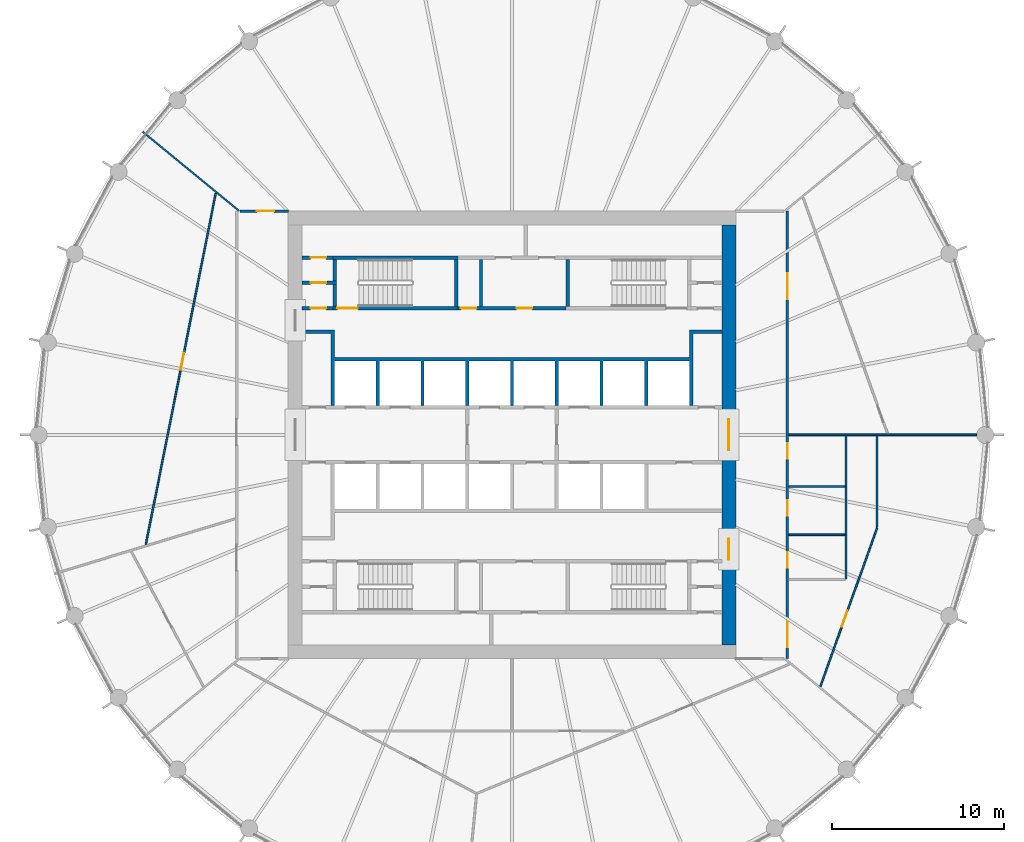
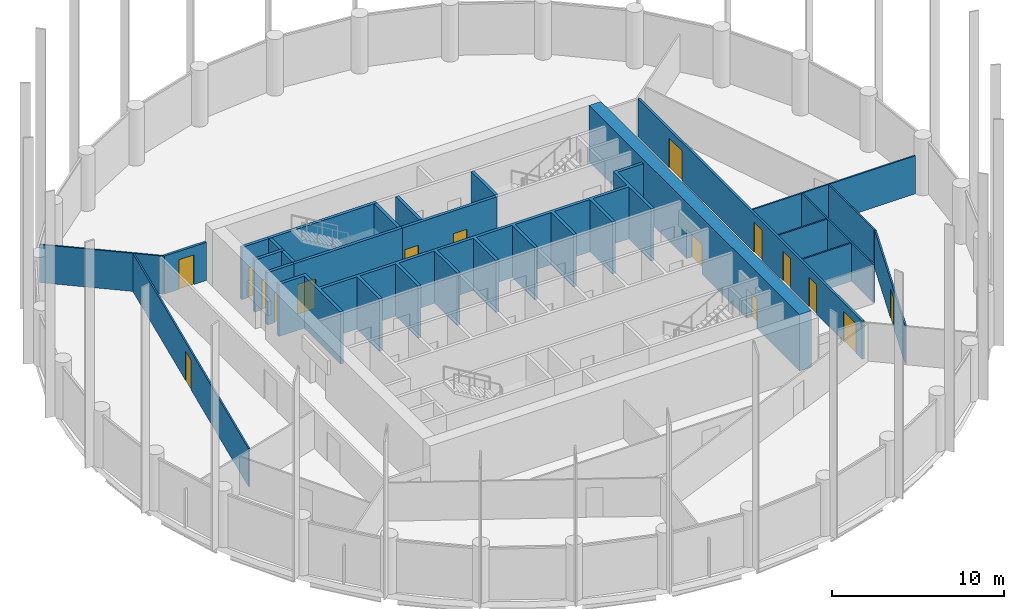
# One storey, part 6 of 8: 23 walls, 16 doors, 16 openings.
"""IFC4 building model written with IfcOpenShell, lengths in metres."""

import ifcopenshell
import ifcopenshell.guid

model = None  # the IFC model being written
_history = None  # IfcOwnerHistory: only IFC2X3 demands one
_inside = {}  # id of a spatial element -> (the spatial element, [elements in it])
_under = {}  # id of a project, library or spatial element -> (it, [spatial elements below it])
_declared = {}  # id of a project -> (the project, [libraries it declares])
_typed = {}  # id of a type object -> (the type object, [elements of that type])
_made_of = {}  # id of a material, layer set ... -> (it, [elements and type objects made of it])


def new_model(schema):
    """Start an empty IFC model of exactly this schema.

    Asked for "IFC4X3", IfcOpenShell would pick the latest addendum, in which some entities
    have other attributes; the version numbers below select the first issue.
    IFC2X3 requires an IfcOwnerHistory on every rooted entity: one is made here for all.
    """
    global model, _history
    if schema == "IFC4X3":
        model = ifcopenshell.file(schema_version=(4, 3, 0, 0))
    else:
        model = ifcopenshell.file(schema=schema)
    _inside.clear()
    _under.clear()
    _declared.clear()
    _typed.clear()
    _made_of.clear()
    _history = None
    if model.schema == "IFC2X3":
        org = make("IfcOrganization", Name="unknown")
        user = make(
            "IfcPersonAndOrganization",
            ThePerson=make("IfcPerson", FamilyName="unknown"),
            TheOrganization=org,
        )
        app = make(
            "IfcApplication",
            ApplicationDeveloper=org,
            Version="unknown",
            ApplicationFullName="unknown",
            ApplicationIdentifier="unknown",
        )
        _history = make(
            "IfcOwnerHistory",
            OwningUser=user,
            OwningApplication=app,
            ChangeAction="ADDED",
            CreationDate=0,
        )
    return model


def make(cls, **values):
    """One entity of the class cls with the attributes given. An attribute that is None is left unset."""
    return model.create_entity(
        cls, **{name: value for name, value in values.items() if value is not None}
    )


def rooted(cls, **values):
    """An entity with a GlobalId (a new one), such as an element, a storey or a relation."""
    return make(cls, GlobalId=ifcopenshell.guid.new(), OwnerHistory=_history, **values)


def si_unit(unit_type, name, prefix=None):
    """IfcSIUnit, for example si_unit("LENGTHUNIT", "METRE", prefix="MILLI")."""
    return make("IfcSIUnit", UnitType=unit_type, Prefix=prefix, Name=name)


def assignment(units):
    """IfcUnitAssignment: the units of a project."""
    return None if units is None else make("IfcUnitAssignment", Units=units)


def point(xyz):
    """IfcCartesianPoint."""
    return None if xyz is None else make("IfcCartesianPoint", Coordinates=xyz)


def direction(xyz):
    """IfcDirection."""
    return None if xyz is None else make("IfcDirection", DirectionRatios=xyz)


def frame(location, z_axis=None, x_axis=None):
    """IfcAxis2Placement3D, a coordinate frame: its origin and axes. An axis left out is left unset."""
    return make(
        "IfcAxis2Placement3D",
        Location=point(location),
        Axis=direction(z_axis),
        RefDirection=direction(x_axis),
    )


def frame_2d(location, x_axis=None):
    """IfcAxis2Placement2D, a coordinate frame in the plane: its origin and x axis."""
    return make(
        "IfcAxis2Placement2D", Location=point(location), RefDirection=direction(x_axis)
    )


def origin():
    """The frame at (0, 0, 0) with its axes left unset."""
    return frame((0.0, 0.0, 0.0))


def place(relative_to, where):
    """IfcLocalPlacement: puts the frame where relative to a parent placement (None: the world)."""
    return make(
        "IfcLocalPlacement", PlacementRelTo=relative_to, RelativePlacement=where
    )


def context(
    kind, dimensions, precision=None, world=None, true_north=None, identifier=None
):
    """IfcGeometricRepresentationContext, for example the 3D "Model" context."""
    return make(
        "IfcGeometricRepresentationContext",
        ContextIdentifier=identifier,
        ContextType=kind,
        CoordinateSpaceDimension=dimensions,
        Precision=precision,
        WorldCoordinateSystem=world,
        TrueNorth=true_north,
    )


def subcontext(parent, identifier, kind, view, scale=None):
    """IfcGeometricRepresentationSubContext, for example "Body" below "Model"."""
    return make(
        "IfcGeometricRepresentationSubContext",
        ContextIdentifier=identifier,
        ContextType=kind,
        ParentContext=parent,
        TargetScale=scale,
        TargetView=view,
    )


def project(units=None, contexts=None):
    """IfcProject with its units and contexts."""
    return rooted(
        "IfcProject",
        Name="project",
        RepresentationContexts=contexts,
        UnitsInContext=assignment(units),
    )


def spatial(cls, under=None, at=None, **own):
    """A site, building, storey or space (cls), placed at a placement, below another one or the project."""
    s = rooted(cls, ObjectPlacement=at, **own)
    if under is not None:
        _under.setdefault(under.id(), (under, []))[1].append(s)
    return s


def polyline(points):
    """IfcPolyline through the points."""
    return make("IfcPolyline", Points=[point(p) for p in points])


def profile(cls, at=None, kind="AREA", **sizes):
    """A parametric profile (cls). Its sizes go by their IFC names, for example OverallWidth=200.0."""
    return make(cls, ProfileType=kind, Position=at, **sizes)


def rectangle(**sizes):
    """IfcRectangleProfileDef."""
    return profile("IfcRectangleProfileDef", **sizes)


def outline(outer, holes=None, kind="AREA"):
    """IfcArbitraryClosedProfileDef: a profile drawn as a closed curve; with holes, ...WithVoids."""
    if holes is None:
        return make("IfcArbitraryClosedProfileDef", ProfileType=kind, OuterCurve=outer)
    return make(
        "IfcArbitraryProfileDefWithVoids",
        ProfileType=kind,
        OuterCurve=outer,
        InnerCurves=holes,
    )


def extrude(swept, where, along, depth):
    """IfcExtrudedAreaSolid: the profile swept, set in the frame where, extruded along a direction by depth."""
    return make(
        "IfcExtrudedAreaSolid",
        SweptArea=swept,
        Position=where,
        ExtrudedDirection=direction(along),
        Depth=depth,
    )


def shape(context_of_items, identifier, shape_type, items):
    """IfcShapeRepresentation: the items that make up one representation, for example the "Body"."""
    return make(
        "IfcShapeRepresentation",
        ContextOfItems=context_of_items,
        RepresentationIdentifier=identifier,
        RepresentationType=shape_type,
        Items=items,
    )


def material(Name=None, Category=None):
    """IfcMaterial."""
    return make("IfcMaterial", Name=Name, Category=Category)


def layer(
    of_material, thickness, ventilated=None, Name=None, Category=None, Priority=None
):
    """IfcMaterialLayer: one layer of a wall or slab, of a material (None: an air gap)."""
    return make(
        "IfcMaterialLayer",
        Material=of_material,
        LayerThickness=thickness,
        IsVentilated=ventilated,
        Name=Name,
        Category=Category,
        Priority=Priority,
    )


def layer_set(layers, Name=None):
    """IfcMaterialLayerSet."""
    return make("IfcMaterialLayerSet", MaterialLayers=layers, LayerSetName=Name)


def made_of(thing, what):
    """Note that an element or type object is made of a material, layer set ...; save() writes the relation."""
    if what is not None:
        _made_of.setdefault(what.id(), (what, []))[1].append(thing)
    return thing


def type_object(cls, material=None, **own):
    """A type object (cls), such as IfcWallType, which elements share."""
    return made_of(rooted(cls, **own), material)


def element(
    cls,
    number,
    at=None,
    inside=None,
    cuts=None,
    type_object=None,
    material=None,
    context=None,
    identifier="Body",
    shape_type=None,
    held_by="IfcProductDefinitionShape",
    body=None,
    shapes=None,
    **own,
):
    """One element of the class cls, such as IfcWall. Its Tag is "e" and its number.

    at: its placement. inside: the storey or other place that contains it. cuts: it is an
    opening in that element (IfcRelVoidsElement). A single representation is given by context,
    identifier, shape_type and body (its items); several are given by shapes. held_by: the class
    of the entity that holds the representations. save() writes the other relations.
    """
    e = rooted(cls, Tag="e%d" % number, ObjectPlacement=at, **own)
    if body is not None:
        shapes = [shape(context, identifier, shape_type, body)]
    if shapes is not None:
        e.Representation = make(held_by, Representations=shapes)
    if inside is not None:
        _inside.setdefault(inside.id(), (inside, []))[1].append(e)
    if cuts is not None:
        rooted(
            "IfcRelVoidsElement", RelatingBuildingElement=cuts, RelatedOpeningElement=e
        )
    if type_object is not None:
        _typed.setdefault(type_object.id(), (type_object, []))[1].append(e)
    return made_of(e, material)


def fill(opening, filler):
    """IfcRelFillsElement: the door or window that sits in an opening."""
    return rooted(
        "IfcRelFillsElement",
        RelatingOpeningElement=opening,
        RelatedBuildingElement=filler,
    )


def aggregate(whole, parts):
    """IfcRelAggregates: a whole, such as a stair, and the parts it consists of."""
    return rooted("IfcRelAggregates", RelatingObject=whole, RelatedObjects=parts)


def save(model, path):
    """Write the relations noted so far, then the file.

    IfcRelAggregates (storeys below a building ...), IfcRelContainedInSpatialStructure (elements
    in a storey), IfcRelDefinesByType, IfcRelAssociatesMaterial and IfcRelDeclares: one each for
    every whole, place, type object, material and project.
    """
    for whole, parts in _under.values():
        aggregate(whole, parts)
    for where, things in _inside.values():
        rooted(
            "IfcRelContainedInSpatialStructure",
            RelatedElements=things,
            RelatingStructure=where,
        )
    for kind, things in _typed.values():
        rooted("IfcRelDefinesByType", RelatedObjects=things, RelatingType=kind)
    for what, things in _made_of.values():
        rooted("IfcRelAssociatesMaterial", RelatedObjects=things, RelatingMaterial=what)
    for by, libraries in _declared.values():
        rooted("IfcRelDeclares", RelatingContext=by, RelatedDefinitions=libraries)
    model.write(path)


model = new_model("IFC4")

# Units and contexts
model_context = context("Model", 3, precision=1e-05, world=origin(), true_north=direction((0.0, 1.0)))
body_context = subcontext(model_context, "Body", "Model", "MODEL_VIEW")
ifc_project = project(units=[si_unit("LENGTHUNIT", "METRE"), si_unit("AREAUNIT", "SQUARE_METRE"), si_unit("VOLUMEUNIT", "CUBIC_METRE"), si_unit("PLANEANGLEUNIT", "RADIAN"), si_unit("MASSUNIT", "GRAM", prefix="KILO")], contexts=[model_context])

# Site, building, storey
site_placement = place(None, origin())
site = spatial("IfcSite", under=ifc_project, at=site_placement, CompositionType="ELEMENT")
building_placement = place(site_placement, origin())
building = spatial("IfcBuilding", under=site, at=building_placement, Name="Corvane Civic Tower", CompositionType="ELEMENT")
storey_placement = place(building_placement, frame((0.0, 0.0, 201.5)))
storey = spatial("IfcBuildingStorey", under=building, at=storey_placement, Name="L47", CompositionType="ELEMENT", Elevation=201.5)

# Wall, openings, doors
ifc_material_1 = material(Name="Concrete C50/60", Category="concrete")
ifc_layer_1 = layer(ifc_material_1, 0.800048828125)
ifc_layer_set_1 = layer_set([ifc_layer_1], Name="Concrete C50/60")
wall_type_1 = type_object("IfcWallType", Name="CORE WALL 800 C50/60", PredefinedType="SHEAR", material=ifc_layer_set_1)
wall_1_placement = place(storey_placement, frame((12.60009765625, -12.199951171875, 0.0), z_axis=(0.0, 0.0, 1.0), x_axis=(0.0, 1.0, 0.0)))
wall_1 = element("IfcWall", 1, at=wall_1_placement, inside=storey, type_object=wall_type_1, Name="W-L47-core-E", PredefinedType="SHEAR", context=body_context, shape_type="SweptSolid", body=[
    extrude(rectangle(XDim=24.39990234375, YDim=0.800048828125, at=frame_2d((12.199951171875, 0.0))), origin(), (0.0, 0.0, 1.0), 4.0),
])
opening_1_placement = place(wall_1_placement, frame((11.300048828125, 0.0, 0.0)))
opening_1 = element("IfcOpeningElement", 2, at=opening_1_placement, cuts=wall_1, Name="Opening L47.C31", PredefinedType="OPENING", context=body_context, shape_type="SweptSolid", body=[
    extrude(rectangle(XDim=1.800048828125, YDim=2.10009765625, at=frame_2d((0.89990234375, 1.050048828125))), frame((0.0, 0.409912109375, 0.0), z_axis=(0.0, -1.0, 0.0), x_axis=(1.0, 0.0, 0.0)), (0.0, 0.0, 1.0), 0.820068359375),
])
opening_2_placement = place(wall_1_placement, frame((4.949951171875, 0.0, 0.0)))
opening_2 = element("IfcOpeningElement", 3, at=opening_2_placement, cuts=wall_1, Name="Opening L47.C33", PredefinedType="OPENING", context=body_context, shape_type="SweptSolid", body=[
    extrude(rectangle(XDim=1.199951171875, YDim=2.10009765625, at=frame_2d((0.60009765625, 1.050048828125))), frame((0.0, 0.409912109375, 0.0), z_axis=(0.0, -1.0, 0.0), x_axis=(1.0, 0.0, 0.0)), (0.0, 0.0, 1.0), 0.820068359375),
])
ifc_material_2 = material(Name="Steel fire door leaf", Category="steel")
door_type_1 = type_object("IfcDoorType", Name="CR-DOOR-CORE-1800", OperationType="DOUBLE_DOOR_SINGLE_SWING", PredefinedType="DOOR", material=ifc_material_2)
door_1_placement = place(opening_1_placement, origin())
door_1 = element("IfcDoor", 4, at=door_1_placement, inside=storey, type_object=door_type_1, Name="L47 door", OperationType="DOUBLE_DOOR_SINGLE_SWING", OverallHeight=2.10009765625, OverallWidth=1.800048828125, PredefinedType="DOOR", context=body_context, shape_type="SweptSolid", body=[
    extrude(rectangle(XDim=1.800048828125, YDim=2.10009765625, at=frame_2d((0.89990234375, 1.050048828125))), frame((0.0, 0.02490234375, 0.0), z_axis=(0.0, -1.0, 0.0), x_axis=(1.0, 0.0, 0.0)), (0.0, 0.0, 1.0), 0.050048828125),
])
fill(opening_1, door_1)
door_2_placement = place(opening_2_placement, origin())
door_2 = element("IfcDoor", 5, at=door_2_placement, inside=storey, type_object=door_type_1, Name="L47 door", OperationType="DOUBLE_DOOR_SINGLE_SWING", OverallHeight=2.10009765625, OverallWidth=1.199951171875, PredefinedType="DOOR", context=body_context, shape_type="SweptSolid", body=[
    extrude(rectangle(XDim=1.199951171875, YDim=2.10009765625, at=frame_2d((0.60009765625, 1.050048828125))), frame((0.0, 0.02490234375, 0.0), z_axis=(0.0, -1.0, 0.0), x_axis=(1.0, 0.0, 0.0)), (0.0, 0.0, 1.0), 0.050048828125),
])
fill(opening_2, door_2)

# Wall, opening, door
ifc_material_3 = material(Name="Concrete C30/37", Category="concrete")
ifc_layer_2 = layer(ifc_material_3, 0.199951171875)
ifc_layer_set_2 = layer_set([ifc_layer_2], Name="Concrete C30/37")
wall_type_2 = type_object("IfcWallType", Name="CR-WALL-200", PredefinedType="PARTITIONING", material=ifc_layer_set_2)
wall_2_placement = place(storey_placement, frame((-12.199951171875, 7.35009765625, 0.0), z_axis=(0.0, 0.0, 1.0), x_axis=(1.0, 0.0, 0.0)))
wall_2 = element("IfcWall", 6, at=wall_2_placement, inside=storey, type_object=wall_type_2, Name="L47 core partition wall", PredefinedType="PARTITIONING", context=body_context, shape_type="SweptSolid", body=[
    extrude(rectangle(XDim=1.800048828125, YDim=0.199951171875, at=frame_2d((0.89990234375, 0.0))), origin(), (0.0, 0.0, 1.0), 3.699951171875),
])
opening_3_placement = place(wall_2_placement, frame((0.5, 0.0, 0.0)))
opening_3 = element("IfcOpeningElement", 7, at=opening_3_placement, cuts=wall_2, Name="Opening L47.C14", PredefinedType="OPENING", context=body_context, shape_type="SweptSolid", body=[
    extrude(rectangle(XDim=0.89990234375, YDim=2.10009765625, at=frame_2d((0.449951171875, 1.050048828125))), frame((0.0, 0.10986328125, 0.0), z_axis=(0.0, -1.0, 0.0), x_axis=(1.0, 0.0, 0.0)), (0.0, 0.0, 1.0), 0.219970703125),
])
ifc_material_4 = material(Name="Steel fire door leaf", Category="steel")
door_type_2 = type_object("IfcDoorType", Name="CR-DOOR-900", OperationType="SINGLE_SWING_LEFT", PredefinedType="DOOR", material=ifc_material_4)
door_3_placement = place(opening_3_placement, origin())
door_3 = element("IfcDoor", 8, at=door_3_placement, inside=storey, type_object=door_type_2, Name="L47 door", OperationType="SINGLE_SWING_LEFT", OverallHeight=2.10009765625, OverallWidth=0.89990234375, PredefinedType="DOOR", context=body_context, shape_type="SweptSolid", body=[
    extrude(rectangle(XDim=0.89990234375, YDim=2.10009765625, at=frame_2d((0.449951171875, 1.050048828125))), frame((0.0, 0.02490234375, 0.0), z_axis=(0.0, -1.0, 0.0), x_axis=(1.0, 0.0, 0.0)), (0.0, 0.0, 1.0), 0.050048828125),
])
fill(opening_3, door_3)

# Wall, openings, doors
wall_3_placement = place(storey_placement, frame((-3.14990234375, 7.35009765625, 0.0), z_axis=(0.0, 0.0, 1.0), x_axis=(1.0, 0.0, 0.0)))
wall_3 = element("IfcWall", 9, at=wall_3_placement, inside=storey, type_object=wall_type_2, Name="L47 core partition wall", PredefinedType="PARTITIONING", context=body_context, shape_type="SweptSolid", body=[
    extrude(rectangle(XDim=6.2998046875, YDim=0.199951171875, at=frame_2d((3.14990234375, 0.0))), origin(), (0.0, 0.0, 1.0), 3.699951171875),
])
opening_4_placement = place(wall_3_placement, frame((0.175048828125, 0.0, 0.0)))
opening_4 = element("IfcOpeningElement", 10, at=opening_4_placement, cuts=wall_3, Name="Opening L47.C06", PredefinedType="OPENING", context=body_context, shape_type="SweptSolid", body=[
    extrude(rectangle(XDim=0.89990234375, YDim=2.10009765625, at=frame_2d((0.449951171875, 1.050048828125))), frame((0.0, 0.10986328125, 0.0), z_axis=(0.0, -1.0, 0.0), x_axis=(1.0, 0.0, 0.0)), (0.0, 0.0, 1.0), 0.219970703125),
])
opening_5_placement = place(wall_3_placement, frame((3.425048828125, 0.0, 0.0)))
opening_5 = element("IfcOpeningElement", 11, at=opening_5_placement, cuts=wall_3, Name="Opening L47.C07", PredefinedType="OPENING", context=body_context, shape_type="SweptSolid", body=[
    extrude(rectangle(XDim=0.89990234375, YDim=2.10009765625, at=frame_2d((0.449951171875, 1.050048828125))), frame((0.0, 0.10986328125, 0.0), z_axis=(0.0, -1.0, 0.0), x_axis=(1.0, 0.0, 0.0)), (0.0, 0.0, 1.0), 0.219970703125),
])
door_4_placement = place(opening_4_placement, origin())
door_4 = element("IfcDoor", 12, at=door_4_placement, inside=storey, type_object=door_type_2, Name="L47 door", OperationType="SINGLE_SWING_LEFT", OverallHeight=2.10009765625, OverallWidth=0.89990234375, PredefinedType="DOOR", context=body_context, shape_type="SweptSolid", body=[
    extrude(rectangle(XDim=0.89990234375, YDim=2.10009765625, at=frame_2d((0.449951171875, 1.050048828125))), frame((0.0, 0.02490234375, 0.0), z_axis=(0.0, -1.0, 0.0), x_axis=(1.0, 0.0, 0.0)), (0.0, 0.0, 1.0), 0.050048828125),
])
fill(opening_4, door_4)
door_5_placement = place(opening_5_placement, origin())
door_5 = element("IfcDoor", 13, at=door_5_placement, inside=storey, type_object=door_type_2, Name="L47 door", OperationType="SINGLE_SWING_LEFT", OverallHeight=2.10009765625, OverallWidth=0.89990234375, PredefinedType="DOOR", context=body_context, shape_type="SweptSolid", body=[
    extrude(rectangle(XDim=0.89990234375, YDim=2.10009765625, at=frame_2d((0.449951171875, 1.050048828125))), frame((0.0, 0.02490234375, 0.0), z_axis=(0.0, -1.0, 0.0), x_axis=(1.0, 0.0, 0.0)), (0.0, 0.0, 1.0), 0.050048828125),
])
fill(opening_5, door_5)

# Wall, opening, door
wall_4_placement = place(storey_placement, frame((-12.199951171875, 8.824951171875, 0.0), z_axis=(0.0, 0.0, 1.0), x_axis=(1.0, 0.0, 0.0)))
wall_4 = element("IfcWall", 14, at=wall_4_placement, inside=storey, type_object=wall_type_2, Name="L47 partition wall", PredefinedType="PARTITIONING", context=body_context, shape_type="SweptSolid", body=[
    extrude(rectangle(XDim=2.0, YDim=0.199951171875, at=frame_2d((1.0, 0.0))), origin(), (0.0, 0.0, 1.0), 3.699951171875),
])
opening_6_placement = place(wall_4_placement, frame((0.5, 0.0, 0.0)))
opening_6 = element("IfcOpeningElement", 15, at=opening_6_placement, cuts=wall_4, Name="Opening L47.C15", PredefinedType="OPENING", context=body_context, shape_type="SweptSolid", body=[
    extrude(rectangle(XDim=0.89990234375, YDim=2.10009765625, at=frame_2d((0.449951171875, 1.050048828125))), frame((0.0, 0.10986328125, 0.0), z_axis=(0.0, -1.0, 0.0), x_axis=(1.0, 0.0, 0.0)), (0.0, 0.0, 1.0), 0.219970703125),
])
door_6_placement = place(opening_6_placement, origin())
door_6 = element("IfcDoor", 16, at=door_6_placement, inside=storey, type_object=door_type_2, Name="L47 door", OperationType="SINGLE_SWING_LEFT", OverallHeight=2.10009765625, OverallWidth=0.89990234375, PredefinedType="DOOR", context=body_context, shape_type="SweptSolid", body=[
    extrude(rectangle(XDim=0.89990234375, YDim=2.10009765625, at=frame_2d((0.449951171875, 1.050048828125))), frame((0.0, 0.02490234375, 0.0), z_axis=(0.0, -1.0, 0.0), x_axis=(1.0, 0.0, 0.0)), (0.0, 0.0, 1.0), 0.050048828125),
])
fill(opening_6, door_6)

wall_5_placement = place(storey_placement, frame((-12.199951171875, 10.300048828125, 0.0), z_axis=(0.0, 0.0, 1.0), x_axis=(1.0, 0.0, 0.0)))
wall_5 = element("IfcWall", 17, at=wall_5_placement, inside=storey, type_object=wall_type_2, Name="L47 partition wall", PredefinedType="PARTITIONING", context=body_context, shape_type="SweptSolid", body=[
    extrude(rectangle(XDim=1.800048828125, YDim=0.199951171875, at=frame_2d((0.89990234375, 0.0))), origin(), (0.0, 0.0, 1.0), 3.699951171875),
])
opening_7_placement = place(wall_5_placement, frame((0.5, 0.0, 0.0)))
opening_7 = element("IfcOpeningElement", 18, at=opening_7_placement, cuts=wall_5, Name="Opening L47.C16", PredefinedType="OPENING", context=body_context, shape_type="SweptSolid", body=[
    extrude(rectangle(XDim=0.89990234375, YDim=2.10009765625, at=frame_2d((0.449951171875, 1.050048828125))), frame((0.0, 0.10986328125, 0.0), z_axis=(0.0, -1.0, 0.0), x_axis=(1.0, 0.0, 0.0)), (0.0, 0.0, 1.0), 0.219970703125),
])
door_7_placement = place(opening_7_placement, origin())
door_7 = element("IfcDoor", 19, at=door_7_placement, inside=storey, type_object=door_type_2, Name="L47 door", OperationType="SINGLE_SWING_LEFT", OverallHeight=2.10009765625, OverallWidth=0.89990234375, PredefinedType="DOOR", context=body_context, shape_type="SweptSolid", body=[
    extrude(rectangle(XDim=0.89990234375, YDim=2.10009765625, at=frame_2d((0.449951171875, 1.050048828125))), frame((0.0, 0.02490234375, 0.0), z_axis=(0.0, -1.0, 0.0), x_axis=(1.0, 0.0, 0.0)), (0.0, 0.0, 1.0), 0.050048828125),
])
fill(opening_7, door_7)

# Walls
wall_6_placement = place(storey_placement, origin())
element("IfcWall", 20, at=wall_6_placement, inside=storey, type_object=wall_type_2, Name="L47 core partition wall", PredefinedType="PARTITIONING", context=body_context, shape_type="SweptSolid", body=[
    extrude(outline(polyline([(-1.699951171875, 7.449951171875), (-1.89990234375, 7.449951171875), (-1.89990234375, 10.199951171875), (-1.699951171875, 10.199951171875), (-1.699951171875, 7.449951171875)])), origin(), (0.0, 0.0, 1.0), 3.699951171875),
])
wall_7_placement = place(storey_placement, origin())
element("IfcWall", 21, at=wall_7_placement, inside=storey, type_object=wall_type_2, Name="L47 core partition wall", PredefinedType="PARTITIONING", context=body_context, shape_type="SweptSolid", body=[
    extrude(outline(polyline([(-10.300048828125, 1.699951171875), (-10.5, 1.699951171875), (-10.5, 5.89990234375), (-12.199951171875, 5.89990234375), (-12.199951171875, 6.10009765625), (-10.300048828125, 6.10009765625), (-10.300048828125, 4.5), (10.300048828125, 4.5), (10.300048828125, 6.10009765625), (12.199951171875, 6.10009765625), (12.199951171875, 5.89990234375), (10.5, 5.89990234375), (10.5, 1.699951171875), (10.300048828125, 1.699951171875), (10.300048828125, 4.300048828125), (7.89990234375, 4.300048828125), (7.89990234375, 1.699951171875), (7.699951171875, 1.699951171875), (7.699951171875, 4.300048828125), (5.300048828125, 4.300048828125), (5.300048828125, 1.699951171875), (5.10009765625, 1.699951171875), (5.10009765625, 4.300048828125), (2.699951171875, 4.300048828125), (2.699951171875, 1.699951171875), (2.5, 1.699951171875), (2.5, 4.300048828125), (0.10009765625, 4.300048828125), (0.10009765625, 1.699951171875), (-0.10009765625, 1.699951171875), (-0.10009765625, 4.300048828125), (-2.5, 4.300048828125), (-2.5, 1.699951171875), (-2.699951171875, 1.699951171875), (-2.699951171875, 4.300048828125), (-5.10009765625, 4.300048828125), (-5.10009765625, 1.699951171875), (-5.300048828125, 1.699951171875), (-5.300048828125, 4.300048828125), (-7.699951171875, 4.300048828125), (-7.699951171875, 1.699951171875), (-7.89990234375, 1.699951171875), (-7.89990234375, 4.300048828125), (-10.300048828125, 4.300048828125), (-10.300048828125, 1.699951171875)])), origin(), (0.0, 0.0, 1.0), 3.699951171875),
])

# Wall, opening, door
ifc_material_5 = material(Name="Plasterboard")
ifc_layer_3 = layer(ifc_material_5, 0.10009765625)
ifc_layer_set_3 = layer_set([ifc_layer_3], Name="Plasterboard")
wall_type_3 = type_object("IfcWallType", Name="Partition 100 plasterboard on studs", PredefinedType="PARTITIONING", material=ifc_layer_set_3)
wall_8_placement = place(storey_placement, frame((17.9150390625, -14.615966796875, 0.0), z_axis=(0.0, 0.0, 1.0), x_axis=(0.336883952747, 0.941546176447, 0.0)))
wall_8 = element("IfcWall", 22, at=wall_8_placement, inside=storey, type_object=wall_type_3, Name="Partition L47.009", PredefinedType="PARTITIONING", context=body_context, shape_type="SweptSolid", body=[
    extrude(rectangle(XDim=9.77197265625, YDim=0.10009765625, at=frame_2d((4.885986328125, 0.0))), origin(), (0.0, 0.0, 1.0), 2.699951171875),
])
opening_8_placement = place(wall_8_placement, frame((3.68212890625, 0.0, 0.0)))
opening_8 = element("IfcOpeningElement", 23, at=opening_8_placement, cuts=wall_8, Name="Opening L47.009", PredefinedType="OPENING", context=body_context, shape_type="SweptSolid", body=[
    extrude(rectangle(XDim=1.0, YDim=2.10009765625, at=frame_2d((0.5, 1.050048828125))), frame((0.0, 0.06005859375, 0.0), z_axis=(0.0, -1.0, 0.0), x_axis=(1.0, 0.0, 0.0)), (0.0, 0.0, 1.0), 0.1201171875),
])
ifc_material_6 = material(Name="Timber", Category="wood")
door_type_3 = type_object("IfcDoorType", Name="Single door 1000", OperationType="NOTDEFINED", PredefinedType="DOOR", material=ifc_material_6)
door_8_placement = place(opening_8_placement, frame((1.0, 0.0, 0.0), z_axis=(0.0, 0.0, 1.0), x_axis=(-1.0, 0.0, 0.0)))
door_8 = element("IfcDoor", 24, at=door_8_placement, inside=storey, type_object=door_type_3, Name="Door L47.009", OperationType="SINGLE_SWING_LEFT", OverallHeight=2.10009765625, OverallWidth=1.0, PredefinedType="DOOR", context=body_context, shape_type="SweptSolid", body=[
    extrude(rectangle(XDim=1.0, YDim=2.10009765625, at=frame_2d((0.5, 1.050048828125))), frame((0.0, 0.02490234375, 0.0), z_axis=(0.0, -1.0, 0.0), x_axis=(1.0, 0.0, 0.0)), (0.0, 0.0, 1.0), 0.050048828125),
])
fill(opening_8, door_8)

# Wall
wall_9_placement = place(storey_placement, frame((19.39990234375, -8.35009765625, 0.0), z_axis=(0.0, 0.0, 1.0), x_axis=(0.0, 1.0, 0.0)))
element("IfcWall", 25, at=wall_9_placement, inside=storey, type_object=wall_type_3, Name="Partition L47.015", PredefinedType="PARTITIONING", context=body_context, shape_type="SweptSolid", body=[
    extrude(rectangle(XDim=8.300048828125, YDim=0.10009765625, at=frame_2d((4.14990234375, 0.0))), origin(), (0.0, 0.0, 1.0), 2.699951171875),
])

# Wall, opening, door
wall_10_placement = place(storey_placement, frame((-21.26953125, -6.375244140625, 0.0), z_axis=(0.0, 0.0, 1.0), x_axis=(0.195095978337, 0.980784155274, 0.0)))
wall_10 = element("IfcWall", 26, at=wall_10_placement, inside=storey, type_object=wall_type_3, Name="Partition L47.017", PredefinedType="PARTITIONING", context=body_context, shape_type="SweptSolid", body=[
    extrude(rectangle(XDim=20.80419921875, YDim=0.10009765625, at=frame_2d((10.402099609375, 0.0))), origin(), (0.0, 0.0, 1.0), 2.699951171875),
])
opening_9_placement = place(wall_10_placement, frame((10.34765625, 0.0, 0.0)))
opening_9 = element("IfcOpeningElement", 27, at=opening_9_placement, cuts=wall_10, Name="Opening L47.016", PredefinedType="OPENING", context=body_context, shape_type="SweptSolid", body=[
    extrude(rectangle(XDim=1.0, YDim=2.10009765625, at=frame_2d((0.5, 1.050048828125))), frame((0.0, 0.06005859375, 0.0), z_axis=(0.0, -1.0, 0.0), x_axis=(1.0, 0.0, 0.0)), (0.0, 0.0, 1.0), 0.1201171875),
])
door_9_placement = place(opening_9_placement, origin())
door_9 = element("IfcDoor", 28, at=door_9_placement, inside=storey, type_object=door_type_3, Name="Door L47.016", OperationType="SINGLE_SWING_RIGHT", OverallHeight=2.10009765625, OverallWidth=1.0, PredefinedType="DOOR", context=body_context, shape_type="SweptSolid", body=[
    extrude(rectangle(XDim=1.0, YDim=2.10009765625, at=frame_2d((0.5, 1.050048828125))), frame((0.0, 0.02490234375, 0.0), z_axis=(0.0, -1.0, 0.0), x_axis=(1.0, 0.0, 0.0)), (0.0, 0.0, 1.0), 0.050048828125),
])
fill(opening_9, door_9)

# Walls
wall_11_placement = place(storey_placement, frame((16.074951171875, -5.800048828125, 0.0), z_axis=(0.0, 0.0, 1.0), x_axis=(1.0, 0.0, 0.0)))
element("IfcWall", 29, at=wall_11_placement, inside=storey, type_object=wall_type_3, Name="Partition L47.018", PredefinedType="PARTITIONING", context=body_context, shape_type="SweptSolid", body=[
    extrude(rectangle(XDim=3.275146484375, YDim=0.10009765625, at=frame_2d((1.6376953125, 0.0))), origin(), (0.0, 0.0, 1.0), 2.699951171875),
])
wall_12_placement = place(storey_placement, frame((21.199951171875, -5.36279296875, 0.0), z_axis=(0.0, 0.0, 1.0), x_axis=(0.0, 1.0, 0.0)))
element("IfcWall", 30, at=wall_12_placement, inside=storey, type_object=wall_type_3, Name="Partition L47.019", PredefinedType="PARTITIONING", context=body_context, shape_type="SweptSolid", body=[
    extrude(rectangle(XDim=5.312744140625, YDim=0.10009765625, at=frame_2d((2.65625, 0.0))), origin(), (0.0, 0.0, 1.0), 2.699951171875),
])
wall_13_placement = place(storey_placement, frame((16.074951171875, -3.0, 0.0), z_axis=(0.0, 0.0, 1.0), x_axis=(1.0, 0.0, 0.0)))
element("IfcWall", 31, at=wall_13_placement, inside=storey, type_object=wall_type_3, Name="Partition L47.020", PredefinedType="PARTITIONING", context=body_context, shape_type="SweptSolid", body=[
    extrude(rectangle(XDim=3.275146484375, YDim=0.10009765625, at=frame_2d((1.6376953125, 0.0))), origin(), (0.0, 0.0, 1.0), 2.699951171875),
])
wall_14_placement = place(storey_placement, frame((16.074951171875, 0.0, 0.0), z_axis=(0.0, 0.0, 1.0), x_axis=(1.0, 0.0, 0.0)))
element("IfcWall", 32, at=wall_14_placement, inside=storey, type_object=wall_type_3, Name="Partition L47.021", PredefinedType="PARTITIONING", context=body_context, shape_type="SweptSolid", body=[
    extrude(rectangle(XDim=10.9150390625, YDim=0.10009765625, at=frame_2d((5.45751953125, 0.0))), origin(), (0.0, 0.0, 1.0), 2.699951171875),
])
wall_15_placement = place(storey_placement, frame((-21.451171875, 17.6044921875, 0.0), z_axis=(0.0, 0.0, 1.0), x_axis=(0.773014432023, -0.634388436121, 0.0)))
element("IfcWall", 33, at=wall_15_placement, inside=storey, type_object=wall_type_3, Name="Partition L47.025", PredefinedType="PARTITIONING", context=body_context, shape_type="SweptSolid", body=[
    extrude(rectangle(XDim=7.239990234375, YDim=0.10009765625, at=frame_2d((3.6201171875, 0.0))), origin(), (0.0, 0.0, 1.0), 2.699951171875),
])

# Wall, opening, door
ifc_material_7 = material(Name="Concrete C50/60", Category="concrete")
ifc_layer_4 = layer(ifc_material_7, 0.199951171875)
ifc_layer_set_4 = layer_set([ifc_layer_4], Name="Concrete C50/60")
wall_type_4 = type_object("IfcWallType", Name="ST-WALL-200", PredefinedType="SHEAR", material=ifc_layer_set_4)
wall_16_placement = place(storey_placement, frame((-10.39990234375, 7.35009765625, 0.0), z_axis=(0.0, 0.0, 1.0), x_axis=(1.0, 0.0, 0.0)))
wall_16 = element("IfcWall", 34, at=wall_16_placement, inside=storey, type_object=wall_type_4, Name="L47 stair enclosure wall", PredefinedType="SHEAR", context=body_context, shape_type="SweptSolid", body=[
    extrude(rectangle(XDim=7.25, YDim=0.199951171875, at=frame_2d((3.625, 0.0))), origin(), (0.0, 0.0, 1.0), 3.699951171875),
])
opening_10_placement = place(wall_16_placement, frame((0.25, 0.0, 0.0)))
opening_10 = element("IfcOpeningElement", 35, at=opening_10_placement, cuts=wall_16, Name="Opening L47.C25", PredefinedType="OPENING", context=body_context, shape_type="SweptSolid", body=[
    extrude(rectangle(XDim=1.199951171875, YDim=2.10009765625, at=frame_2d((0.60009765625, 1.050048828125))), frame((0.0, 0.10986328125, 0.0), z_axis=(0.0, -1.0, 0.0), x_axis=(1.0, 0.0, 0.0)), (0.0, 0.0, 1.0), 0.219970703125),
])
ifc_material_8 = material(Name="Steel fire door leaf", Category="steel")
door_type_4 = type_object("IfcDoorType", Name="ST-DOOR-1200", OperationType="SINGLE_SWING_RIGHT", PredefinedType="DOOR", material=ifc_material_8)
door_10_placement = place(opening_10_placement, origin())
door_10 = element("IfcDoor", 36, at=door_10_placement, inside=storey, type_object=door_type_4, Name="L47 stair door", OperationType="SINGLE_SWING_RIGHT", OverallHeight=2.10009765625, OverallWidth=1.199951171875, PredefinedType="DOOR", context=body_context, shape_type="SweptSolid", body=[
    extrude(rectangle(XDim=1.199951171875, YDim=2.10009765625, at=frame_2d((0.60009765625, 1.050048828125))), frame((0.0, 0.02490234375, 0.0), z_axis=(0.0, -1.0, 0.0), x_axis=(1.0, 0.0, 0.0)), (0.0, 0.0, 1.0), 0.050048828125),
])
fill(opening_10, door_10)

# Walls
wall_17_placement = place(storey_placement, origin())
element("IfcWall", 37, at=wall_17_placement, inside=storey, type_object=wall_type_4, Name="L47 stair enclosure wall", PredefinedType="SHEAR", context=body_context, shape_type="SweptSolid", body=[
    extrude(outline(polyline([(-3.14990234375, 10.199951171875), (-10.39990234375, 10.199951171875), (-10.39990234375, 10.39990234375), (-3.14990234375, 10.39990234375), (-3.14990234375, 10.199951171875)])), origin(), (0.0, 0.0, 1.0), 3.699951171875),
])
wall_18_placement = place(storey_placement, origin())
element("IfcWall", 38, at=wall_18_placement, inside=storey, type_object=wall_type_4, Name="L47 stair enclosure wall", PredefinedType="SHEAR", context=body_context, shape_type="SweptSolid", body=[
    extrude(outline(polyline([(-3.14990234375, 7.449951171875), (-3.35009765625, 7.449951171875), (-3.35009765625, 10.199951171875), (-3.14990234375, 10.199951171875), (-3.14990234375, 7.449951171875)])), origin(), (0.0, 0.0, 1.0), 3.699951171875),
])
wall_19_placement = place(storey_placement, origin())
element("IfcWall", 39, at=wall_19_placement, inside=storey, type_object=wall_type_4, Name="L47 stair enclosure wall", PredefinedType="SHEAR", context=body_context, shape_type="SweptSolid", body=[
    extrude(outline(polyline([(3.35009765625, 7.449951171875), (3.14990234375, 7.449951171875), (3.14990234375, 10.199951171875), (3.35009765625, 10.199951171875), (3.35009765625, 7.449951171875)])), origin(), (0.0, 0.0, 1.0), 3.699951171875),
])
wall_20_placement = place(storey_placement, origin())
element("IfcWall", 40, at=wall_20_placement, inside=storey, type_object=wall_type_4, Name="L47 stair enclosure wall", PredefinedType="SHEAR", context=body_context, shape_type="SweptSolid", body=[
    extrude(outline(polyline([(-10.199951171875, 8.72509765625), (-10.199951171875, 7.449951171875), (-10.39990234375, 7.449951171875), (-10.39990234375, 8.72509765625), (-10.199951171875, 8.72509765625)])), origin(), (0.0, 0.0, 1.0), 3.699951171875),
])
wall_21_placement = place(storey_placement, origin())
element("IfcWall", 41, at=wall_21_placement, inside=storey, type_object=wall_type_4, Name="L47 stair enclosure wall", PredefinedType="SHEAR", context=body_context, shape_type="SweptSolid", body=[
    extrude(outline(polyline([(-10.199951171875, 8.925048828125), (-10.39990234375, 8.925048828125), (-10.39990234375, 10.199951171875), (-10.199951171875, 10.199951171875), (-10.199951171875, 8.925048828125)])), origin(), (0.0, 0.0, 1.0), 3.699951171875),
])

# Wall, openings, doors
ifc_material_9 = material(Name="Plasterboard")
ifc_layer_5 = layer(ifc_material_9, 0.14990234375)
ifc_layer_set_5 = layer_set([ifc_layer_5], Name="Plasterboard")
wall_type_5 = type_object("IfcWallType", Name="Tenancy wall 150 EI 60", PredefinedType="PARTITIONING", material=ifc_layer_set_5)
wall_22_placement = place(storey_placement, frame((16.0, -13.0, 0.0), z_axis=(0.0, 0.0, 1.0), x_axis=(0.0, 1.0, 0.0)))
wall_22 = element("IfcWall", 42, at=wall_22_placement, inside=storey, type_object=wall_type_5, Name="Partition L47.013", PredefinedType="PARTITIONING", context=body_context, shape_type="SweptSolid", body=[
    extrude(rectangle(XDim=26.0, YDim=0.14990234375, at=frame_2d((13.0, 0.0))), origin(), (0.0, 0.0, 1.0), 2.699951171875),
])
opening_11_placement = place(wall_22_placement, frame((20.885986328125, 0.0, 0.0)))
opening_11 = element("IfcOpeningElement", 43, at=opening_11_placement, cuts=wall_22, Name="Opening L47.008", PredefinedType="OPENING", context=body_context, shape_type="SweptSolid", body=[
    extrude(rectangle(XDim=1.5, YDim=2.10009765625, at=frame_2d((0.75, 1.050048828125))), frame((0.0, 0.0849609375, 0.0), z_axis=(0.0, -1.0, 0.0), x_axis=(1.0, 0.0, 0.0)), (0.0, 0.0, 1.0), 0.169921875),
])
opening_12_placement = place(wall_22_placement, frame((0.673828125, 0.0, 0.0)))
opening_12 = element("IfcOpeningElement", 44, at=opening_12_placement, cuts=wall_22, Name="Opening L47.010", PredefinedType="OPENING", context=body_context, shape_type="SweptSolid", body=[
    extrude(rectangle(XDim=1.5, YDim=2.10009765625, at=frame_2d((0.75, 1.050048828125))), frame((0.0, 0.0849609375, 0.0), z_axis=(0.0, -1.0, 0.0), x_axis=(1.0, 0.0, 0.0)), (0.0, 0.0, 1.0), 0.169921875),
])
opening_13_placement = place(wall_22_placement, frame((11.62451171875, 0.0, 0.0)))
opening_13 = element("IfcOpeningElement", 45, at=opening_13_placement, cuts=wall_22, Name="Opening L47.011", PredefinedType="OPENING", context=body_context, shape_type="SweptSolid", body=[
    extrude(rectangle(XDim=0.89990234375, YDim=2.10009765625, at=frame_2d((0.449951171875, 1.050048828125))), frame((0.0, 0.0849609375, 0.0), z_axis=(0.0, -1.0, 0.0), x_axis=(1.0, 0.0, 0.0)), (0.0, 0.0, 1.0), 0.169921875),
])
opening_14_placement = place(wall_22_placement, frame((8.291259765625, 0.0, 0.0)))
opening_14 = element("IfcOpeningElement", 46, at=opening_14_placement, cuts=wall_22, Name="Opening L47.012", PredefinedType="OPENING", context=body_context, shape_type="SweptSolid", body=[
    extrude(rectangle(XDim=0.89990234375, YDim=2.10009765625, at=frame_2d((0.449951171875, 1.050048828125))), frame((0.0, 0.0849609375, 0.0), z_axis=(0.0, -1.0, 0.0), x_axis=(1.0, 0.0, 0.0)), (0.0, 0.0, 1.0), 0.169921875),
])
opening_15_placement = place(wall_22_placement, frame((5.266357421875, 0.0, 0.0)))
opening_15 = element("IfcOpeningElement", 47, at=opening_15_placement, cuts=wall_22, Name="Opening L47.013", PredefinedType="OPENING", context=body_context, shape_type="SweptSolid", body=[
    extrude(rectangle(XDim=0.89990234375, YDim=2.10009765625, at=frame_2d((0.449951171875, 1.050048828125))), frame((0.0, 0.0849609375, 0.0), z_axis=(0.0, -1.0, 0.0), x_axis=(1.0, 0.0, 0.0)), (0.0, 0.0, 1.0), 0.169921875),
])
ifc_material_10 = material(Name="Steel and timber", Category="steel")
door_type_5 = type_object("IfcDoorType", Name="Fire door FD30S 900", OperationType="NOTDEFINED", PredefinedType="DOOR", material=ifc_material_10)
door_11_placement = place(opening_13_placement, frame((0.89990234375, 0.0, 0.0), z_axis=(0.0, 0.0, 1.0), x_axis=(-1.0, 0.0, 0.0)))
door_11 = element("IfcDoor", 48, at=door_11_placement, inside=storey, type_object=door_type_5, Name="Door L47.011", OperationType="SINGLE_SWING_LEFT", OverallHeight=2.10009765625, OverallWidth=0.89990234375, PredefinedType="DOOR", context=body_context, shape_type="SweptSolid", body=[
    extrude(rectangle(XDim=0.89990234375, YDim=2.10009765625, at=frame_2d((0.449951171875, 1.050048828125))), frame((0.0, 0.02490234375, 0.0), z_axis=(0.0, -1.0, 0.0), x_axis=(1.0, 0.0, 0.0)), (0.0, 0.0, 1.0), 0.050048828125),
])
fill(opening_13, door_11)
door_12_placement = place(opening_14_placement, frame((0.89990234375, 0.0, 0.0), z_axis=(0.0, 0.0, 1.0), x_axis=(-1.0, 0.0, 0.0)))
door_12 = element("IfcDoor", 49, at=door_12_placement, inside=storey, type_object=door_type_5, Name="Door L47.012", OperationType="SINGLE_SWING_LEFT", OverallHeight=2.10009765625, OverallWidth=0.89990234375, PredefinedType="DOOR", context=body_context, shape_type="SweptSolid", body=[
    extrude(rectangle(XDim=0.89990234375, YDim=2.10009765625, at=frame_2d((0.449951171875, 1.050048828125))), frame((0.0, 0.02490234375, 0.0), z_axis=(0.0, -1.0, 0.0), x_axis=(1.0, 0.0, 0.0)), (0.0, 0.0, 1.0), 0.050048828125),
])
fill(opening_14, door_12)
door_13_placement = place(opening_15_placement, frame((0.89990234375, 0.0, 0.0), z_axis=(0.0, 0.0, 1.0), x_axis=(-1.0, 0.0, 0.0)))
door_13 = element("IfcDoor", 50, at=door_13_placement, inside=storey, type_object=door_type_5, Name="Door L47.013", OperationType="SINGLE_SWING_RIGHT", OverallHeight=2.10009765625, OverallWidth=0.89990234375, PredefinedType="DOOR", context=body_context, shape_type="SweptSolid", body=[
    extrude(rectangle(XDim=0.89990234375, YDim=2.10009765625, at=frame_2d((0.449951171875, 1.050048828125))), frame((0.0, 0.02490234375, 0.0), z_axis=(0.0, -1.0, 0.0), x_axis=(1.0, 0.0, 0.0)), (0.0, 0.0, 1.0), 0.050048828125),
])
fill(opening_15, door_13)
ifc_material_11 = material(Name="Steel and timber", Category="steel")
door_type_6 = type_object("IfcDoorType", Name="Fire door FD60 double 1500", OperationType="NOTDEFINED", PredefinedType="DOOR", material=ifc_material_11)
door_14_placement = place(opening_11_placement, frame((1.5, 0.0, 0.0), z_axis=(0.0, 0.0, 1.0), x_axis=(-1.0, 0.0, 0.0)))
door_14 = element("IfcDoor", 51, at=door_14_placement, inside=storey, type_object=door_type_6, Name="Door L47.008", OperationType="DOUBLE_DOOR_SINGLE_SWING", OverallHeight=2.10009765625, OverallWidth=1.5, PredefinedType="DOOR", context=body_context, shape_type="SweptSolid", body=[
    extrude(rectangle(XDim=1.5, YDim=2.10009765625, at=frame_2d((0.75, 1.050048828125))), frame((0.0, 0.02490234375, 0.0), z_axis=(0.0, -1.0, 0.0), x_axis=(1.0, 0.0, 0.0)), (0.0, 0.0, 1.0), 0.050048828125),
])
fill(opening_11, door_14)
door_15_placement = place(opening_12_placement, frame((1.5, 0.0, 0.0), z_axis=(0.0, 0.0, 1.0), x_axis=(-1.0, 0.0, 0.0)))
door_15 = element("IfcDoor", 52, at=door_15_placement, inside=storey, type_object=door_type_6, Name="Door L47.010", OperationType="DOUBLE_DOOR_SINGLE_SWING", OverallHeight=2.10009765625, OverallWidth=1.5, PredefinedType="DOOR", context=body_context, shape_type="SweptSolid", body=[
    extrude(rectangle(XDim=1.5, YDim=2.10009765625, at=frame_2d((0.75, 1.050048828125))), frame((0.0, 0.02490234375, 0.0), z_axis=(0.0, -1.0, 0.0), x_axis=(1.0, 0.0, 0.0)), (0.0, 0.0, 1.0), 0.050048828125),
])
fill(opening_12, door_15)

# Wall, opening, door
wall_23_placement = place(storey_placement, frame((-15.813720703125, 13.0, 0.0), z_axis=(0.0, 0.0, 1.0), x_axis=(1.0, 0.0, 0.0)))
wall_23 = element("IfcWall", 53, at=wall_23_placement, inside=storey, type_object=wall_type_5, Name="Partition L47.023", PredefinedType="PARTITIONING", context=body_context, shape_type="SweptSolid", body=[
    extrude(rectangle(XDim=2.82373046875, YDim=0.14990234375, at=frame_2d((1.411865234375, 0.0))), origin(), (0.0, 0.0, 1.0), 2.699951171875),
])
opening_16_placement = place(wall_23_placement, frame((0.99609375, 0.0, 0.0)))
opening_16 = element("IfcOpeningElement", 54, at=opening_16_placement, cuts=wall_23, Name="Opening L47.001", PredefinedType="OPENING", context=body_context, shape_type="SweptSolid", body=[
    extrude(rectangle(XDim=1.0, YDim=2.10009765625, at=frame_2d((0.5, 1.050048828125))), frame((0.0, 0.0849609375, 0.0), z_axis=(0.0, -1.0, 0.0), x_axis=(1.0, 0.0, 0.0)), (0.0, 0.0, 1.0), 0.169921875),
])
ifc_material_12 = material(Name="Steel and timber", Category="steel")
door_type_7 = type_object("IfcDoorType", Name="Fire door FD30S 1000", OperationType="NOTDEFINED", PredefinedType="DOOR", material=ifc_material_12)
door_16_placement = place(opening_16_placement, origin())
door_16 = element("IfcDoor", 55, at=door_16_placement, inside=storey, type_object=door_type_7, Name="Door L47.001", OperationType="SINGLE_SWING_RIGHT", OverallHeight=2.10009765625, OverallWidth=1.0, PredefinedType="DOOR", context=body_context, shape_type="SweptSolid", body=[
    extrude(rectangle(XDim=1.0, YDim=2.10009765625, at=frame_2d((0.5, 1.050048828125))), frame((0.0, 0.02490234375, 0.0), z_axis=(0.0, -1.0, 0.0), x_axis=(1.0, 0.0, 0.0)), (0.0, 0.0, 1.0), 0.050048828125),
])
fill(opening_16, door_16)

save(model, "model.ifc")
